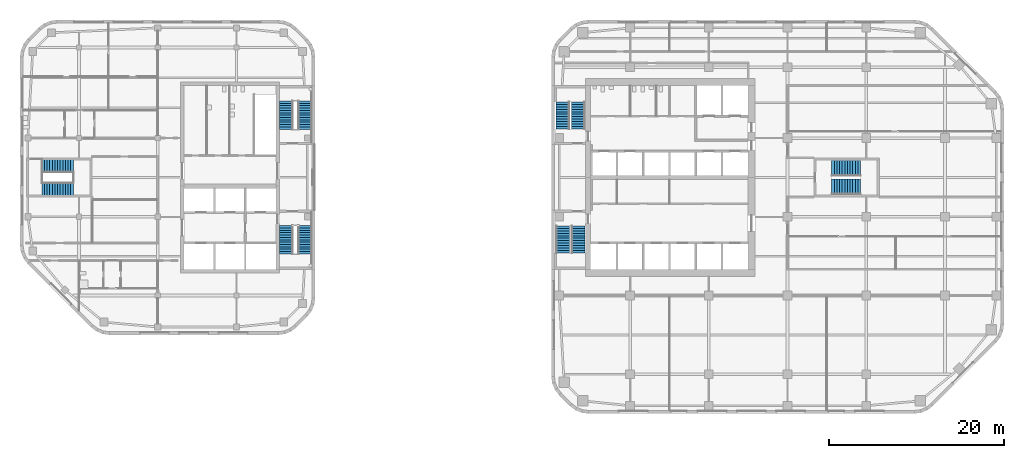
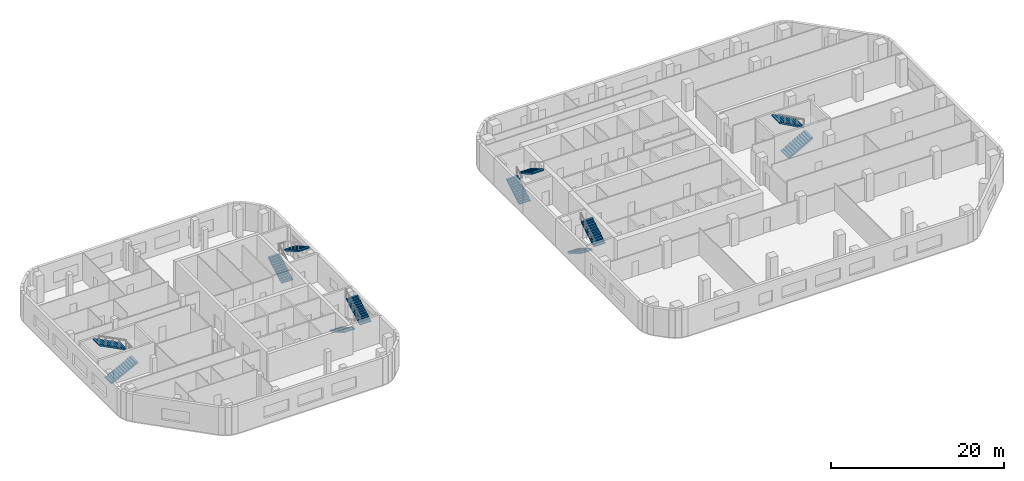
# One storey, part 11 of 14: 12 stair flights, 6 elements without a shape of their own.
"""IFC4 building model written with IfcOpenShell, lengths in metres."""

from ifc_helpers import new_model, si_unit, direction, frame, origin, place, context, subcontext, project, spatial, polyline, outline, extrude, material, type_object, element, aggregate, save


model = new_model("IFC4")

# Units and contexts
model_context = context("Model", 3, precision=1e-05, world=origin(), true_north=direction((0.0, 1.0)))
body_context = subcontext(model_context, "Body", "Model", "MODEL_VIEW")
ifc_project = project(units=[si_unit("LENGTHUNIT", "METRE"), si_unit("AREAUNIT", "SQUARE_METRE"), si_unit("VOLUMEUNIT", "CUBIC_METRE"), si_unit("PLANEANGLEUNIT", "RADIAN"), si_unit("MASSUNIT", "GRAM", prefix="KILO")], contexts=[model_context])

# Site, building, storey
site_placement = place(None, origin())
site = spatial("IfcSite", under=ifc_project, at=site_placement, CompositionType="ELEMENT")
building_placement = place(site_placement, origin())
building = spatial("IfcBuilding", under=site, at=building_placement, Name="Cinnabar Reach Civic Tower", CompositionType="ELEMENT")
storey_placement = place(building_placement, frame((0.0, 0.0, 132.0)))
storey = spatial("IfcBuildingStorey", under=building, at=storey_placement, Name="L31", CompositionType="ELEMENT", Elevation=132.0)

# Stair, stair flights
ifc_material_1 = material(Name="Concrete C40/50", Category="concrete")
stair_type_1 = type_object("IfcStairType", Name="T1 Exit stair, half-turn", PredefinedType="HALF_TURN_STAIR", material=ifc_material_1)
stair_1_placement = place(storey_placement, origin())
stair_1 = element("IfcStair", 1, at=stair_1_placement, inside=storey, type_object=stair_type_1, Name="Stair T1-S1", PredefinedType="HALF_TURN_STAIR")
stair_flight_type_1 = type_object("IfcStairFlightType", Name="T1 Stair flight, concrete", PredefinedType="STRAIGHT", material=ifc_material_1)
stair_flight_1_placement = place(storey_placement, frame((1.3125, 25.95, 0.0), z_axis=(0.0, 0.0, 1.0), x_axis=(0.0, -1.0, 0.0)))
stair_flight_1 = element("IfcStairFlight", 2, at=stair_flight_1_placement, type_object=stair_flight_type_1, Name="T1-S1 flight 1", NumberOfRisers=12, NumberOfTreads=11, PredefinedType="STRAIGHT", RiserHeight=0.166666667, TreadLength=0.28, context=body_context, shape_type="SweptSolid", body=[
    extrude(outline(polyline([(0.0, 0.0), (0.0, 0.1667), (0.28, 0.1667), (0.28, 0.3333), (0.56, 0.3333), (0.56, 0.5), (0.84, 0.5), (0.84, 0.6667), (1.12, 0.6667), (1.12, 0.8333), (1.4, 0.8333), (1.4, 1.0), (1.68, 1.0), (1.68, 1.1667), (1.96, 1.1667), (1.96, 1.3333), (2.24, 1.3333), (2.24, 1.5), (2.52, 1.5), (2.52, 1.6667), (2.8, 1.6667), (2.8, 1.8333), (3.08, 1.8333), (3.08, 2.0), (3.08, 1.6588), (0.2933, 0.0), (0.0, 0.0)])), frame((0.0, 0.7625, 0.0), z_axis=(0.0, -1.0, 0.0), x_axis=(1.0, 0.0, 0.0)), (0.0, 0.0, 1.0), 1.525),
])
stair_flight_2_placement = place(storey_placement, frame((3.0875, 22.87, 2.0), z_axis=(0.0, 0.0, 1.0), x_axis=(0.0, 1.0, 0.0)))
stair_flight_2 = element("IfcStairFlight", 3, at=stair_flight_2_placement, type_object=stair_flight_type_1, Name="T1-S1 flight 2", NumberOfRisers=12, NumberOfTreads=11, PredefinedType="STRAIGHT", RiserHeight=0.166666667, TreadLength=0.28, context=body_context, shape_type="SweptSolid", body=[
    extrude(outline(polyline([(0.0, 0.0), (0.0, 0.1667), (0.28, 0.1667), (0.28, 0.3333), (0.56, 0.3333), (0.56, 0.5), (0.84, 0.5), (0.84, 0.6667), (1.12, 0.6667), (1.12, 0.8333), (1.4, 0.8333), (1.4, 1.0), (1.68, 1.0), (1.68, 1.1667), (1.96, 1.1667), (1.96, 1.3333), (2.24, 1.3333), (2.24, 1.5), (2.52, 1.5), (2.52, 1.6667), (2.8, 1.6667), (2.8, 1.8333), (3.08, 1.8333), (3.08, 2.0), (3.08, 1.6588), (0.2933, 0.0), (0.0, 0.0)])), frame((0.0, 0.7625, 0.0), z_axis=(0.0, -1.0, 0.0), x_axis=(1.0, 0.0, 0.0)), (0.0, 0.0, 1.0), 1.525),
])
aggregate(stair_1, [stair_flight_1, stair_flight_2])

stair_2_placement = place(storey_placement, origin())
stair_2 = element("IfcStair", 4, at=stair_2_placement, inside=storey, type_object=stair_type_1, Name="Stair T1-S2", PredefinedType="HALF_TURN_STAIR")
stair_flight_3_placement = place(storey_placement, frame((1.3125, 37.05, 0.0), z_axis=(0.0, 0.0, 1.0), x_axis=(0.0, 1.0, 0.0)))
stair_flight_3 = element("IfcStairFlight", 5, at=stair_flight_3_placement, type_object=stair_flight_type_1, Name="T1-S2 flight 1", NumberOfRisers=12, NumberOfTreads=11, PredefinedType="STRAIGHT", RiserHeight=0.166666667, TreadLength=0.28, context=body_context, shape_type="SweptSolid", body=[
    extrude(outline(polyline([(0.0, 0.0), (0.0, 0.1667), (0.28, 0.1667), (0.28, 0.3333), (0.56, 0.3333), (0.56, 0.5), (0.84, 0.5), (0.84, 0.6667), (1.12, 0.6667), (1.12, 0.8333), (1.4, 0.8333), (1.4, 1.0), (1.68, 1.0), (1.68, 1.1667), (1.96, 1.1667), (1.96, 1.3333), (2.24, 1.3333), (2.24, 1.5), (2.52, 1.5), (2.52, 1.6667), (2.8, 1.6667), (2.8, 1.8333), (3.08, 1.8333), (3.08, 2.0), (3.08, 1.6588), (0.2933, 0.0), (0.0, 0.0)])), frame((0.0, 0.7625, 0.0), z_axis=(0.0, -1.0, 0.0), x_axis=(1.0, 0.0, 0.0)), (0.0, 0.0, 1.0), 1.525),
])
stair_flight_4_placement = place(storey_placement, frame((3.0875, 40.13, 2.0), z_axis=(0.0, 0.0, 1.0), x_axis=(0.0, -1.0, 0.0)))
stair_flight_4 = element("IfcStairFlight", 6, at=stair_flight_4_placement, type_object=stair_flight_type_1, Name="T1-S2 flight 2", NumberOfRisers=12, NumberOfTreads=11, PredefinedType="STRAIGHT", RiserHeight=0.166666667, TreadLength=0.28, context=body_context, shape_type="SweptSolid", body=[
    extrude(outline(polyline([(0.0, 0.0), (0.0, 0.1667), (0.28, 0.1667), (0.28, 0.3333), (0.56, 0.3333), (0.56, 0.5), (0.84, 0.5), (0.84, 0.6667), (1.12, 0.6667), (1.12, 0.8333), (1.4, 0.8333), (1.4, 1.0), (1.68, 1.0), (1.68, 1.1667), (1.96, 1.1667), (1.96, 1.3333), (2.24, 1.3333), (2.24, 1.5), (2.52, 1.5), (2.52, 1.6667), (2.8, 1.6667), (2.8, 1.8333), (3.08, 1.8333), (3.08, 2.0), (3.08, 1.6588), (0.2933, 0.0), (0.0, 0.0)])), frame((0.0, 0.7625, 0.0), z_axis=(0.0, -1.0, 0.0), x_axis=(1.0, 0.0, 0.0)), (0.0, 0.0, 1.0), 1.525),
])
aggregate(stair_2, [stair_flight_3, stair_flight_4])

stair_3_placement = place(storey_placement, origin())
stair_3 = element("IfcStair", 7, at=stair_3_placement, inside=storey, type_object=stair_type_1, Name="Stair T1-S3", PredefinedType="HALF_TURN_STAIR")
stair_flight_5_placement = place(storey_placement, frame((32.05, 30.45, 0.0), z_axis=(0.0, 0.0, 1.0), x_axis=(1.0, 0.0, 0.0)))
stair_flight_5 = element("IfcStairFlight", 8, at=stair_flight_5_placement, type_object=stair_flight_type_1, Name="T1-S3 flight 1", NumberOfRisers=12, NumberOfTreads=11, PredefinedType="STRAIGHT", RiserHeight=0.166666667, TreadLength=0.3, context=body_context, shape_type="SweptSolid", body=[
    extrude(outline(polyline([(0.0, 0.0), (0.0, 0.1667), (0.3, 0.1667), (0.3, 0.3333), (0.6, 0.3333), (0.6, 0.5), (0.9, 0.5), (0.9, 0.6667), (1.2, 0.6667), (1.2, 0.8333), (1.5, 0.8333), (1.5, 1.0), (1.8, 1.0), (1.8, 1.1667), (2.1, 1.1667), (2.1, 1.3333), (2.4, 1.3333), (2.4, 1.5), (2.7, 1.5), (2.7, 1.6667), (3.0, 1.6667), (3.0, 1.8333), (3.3, 1.8333), (3.3, 2.0), (3.3, 1.6617), (0.3089, 0.0), (0.0, 0.0)])), frame((0.0, 0.9, 0.0), z_axis=(0.0, -1.0, 0.0), x_axis=(1.0, 0.0, 0.0)), (0.0, 0.0, 1.0), 1.8),
])
stair_flight_6_placement = place(storey_placement, frame((35.35, 32.55, 2.0), z_axis=(0.0, 0.0, 1.0), x_axis=(-1.0, 0.0, 0.0)))
stair_flight_6 = element("IfcStairFlight", 9, at=stair_flight_6_placement, type_object=stair_flight_type_1, Name="T1-S3 flight 2", NumberOfRisers=12, NumberOfTreads=11, PredefinedType="STRAIGHT", RiserHeight=0.166666667, TreadLength=0.3, context=body_context, shape_type="SweptSolid", body=[
    extrude(outline(polyline([(0.0, 0.0), (0.0, 0.1667), (0.3, 0.1667), (0.3, 0.3333), (0.6, 0.3333), (0.6, 0.5), (0.9, 0.5), (0.9, 0.6667), (1.2, 0.6667), (1.2, 0.8333), (1.5, 0.8333), (1.5, 1.0), (1.8, 1.0), (1.8, 1.1667), (2.1, 1.1667), (2.1, 1.3333), (2.4, 1.3333), (2.4, 1.5), (2.7, 1.5), (2.7, 1.6667), (3.0, 1.6667), (3.0, 1.8333), (3.3, 1.8333), (3.3, 2.0), (3.3, 1.6617), (0.3089, 0.0), (0.0, 0.0)])), frame((0.0, 0.9, 0.0), z_axis=(0.0, -1.0, 0.0), x_axis=(1.0, 0.0, 0.0)), (0.0, 0.0, 1.0), 1.8),
])
aggregate(stair_3, [stair_flight_5, stair_flight_6])

ifc_material_2 = material(Name="Concrete C40", Category="concrete")
stair_type_2 = type_object("IfcStairType", Name="T2 Exit stair 1500", PredefinedType="HALF_TURN_STAIR", material=ifc_material_2)
stair_4_placement = place(storey_placement, origin())
stair_4 = element("IfcStair", 10, at=stair_4_placement, inside=storey, type_object=stair_type_2, Name="Exit stair 1", PredefinedType="HALF_TURN_STAIR")
stair_flight_type_2 = type_object("IfcStairFlightType", Name="T2 Stair flight 1500", PredefinedType="STRAIGHT", material=ifc_material_2)
stair_flight_7_placement = place(storey_placement, frame((-30.35, 26.0, 0.0), z_axis=(0.0, 0.0, 1.0), x_axis=(0.0, -1.0, 0.0)))
stair_flight_7 = element("IfcStairFlight", 11, at=stair_flight_7_placement, type_object=stair_flight_type_2, Name="ST1 flight 1", NumberOfRisers=13, NumberOfTreads=12, PredefinedType="STRAIGHT", RiserHeight=0.153846154, TreadLength=0.270833333, context=body_context, shape_type="SweptSolid", body=[
    extrude(outline(polyline([(0.0, 0.0), (0.0, 0.1538), (0.2708, 0.1538), (0.2708, 0.3077), (0.5417, 0.3077), (0.5417, 0.4615), (0.8125, 0.4615), (0.8125, 0.6154), (1.0833, 0.6154), (1.0833, 0.7692), (1.3542, 0.7692), (1.3542, 0.9231), (1.625, 0.9231), (1.625, 1.0769), (1.8958, 1.0769), (1.8958, 1.2308), (2.1667, 1.2308), (2.1667, 1.3846), (2.4375, 1.3846), (2.4375, 1.5385), (2.7083, 1.5385), (2.7083, 1.6923), (2.9792, 1.6923), (2.9792, 1.8462), (3.25, 1.8462), (3.25, 2.0), (3.25, 1.6736), (0.3037, 0.0), (0.0, 0.0)])), frame((0.0, 0.75, 0.0), z_axis=(0.0, -1.0, 0.0), x_axis=(1.0, 0.0, 0.0)), (0.0, 0.0, 1.0), 1.5),
])
stair_flight_8_placement = place(storey_placement, frame((-28.15, 22.75, 2.0), z_axis=(0.0, 0.0, 1.0), x_axis=(0.0, 1.0, 0.0)))
stair_flight_8 = element("IfcStairFlight", 12, at=stair_flight_8_placement, type_object=stair_flight_type_2, Name="ST1 flight 2", NumberOfRisers=13, NumberOfTreads=12, PredefinedType="STRAIGHT", RiserHeight=0.153846154, TreadLength=0.270833333, context=body_context, shape_type="SweptSolid", body=[
    extrude(outline(polyline([(0.0, 0.0), (0.0, 0.1538), (0.2708, 0.1538), (0.2708, 0.3077), (0.5417, 0.3077), (0.5417, 0.4615), (0.8125, 0.4615), (0.8125, 0.6154), (1.0833, 0.6154), (1.0833, 0.7692), (1.3542, 0.7692), (1.3542, 0.9231), (1.625, 0.9231), (1.625, 1.0769), (1.8958, 1.0769), (1.8958, 1.2308), (2.1667, 1.2308), (2.1667, 1.3846), (2.4375, 1.3846), (2.4375, 1.5385), (2.7083, 1.5385), (2.7083, 1.6923), (2.9792, 1.6923), (2.9792, 1.8462), (3.25, 1.8462), (3.25, 2.0), (3.25, 1.6736), (0.3037, 0.0), (0.0, 0.0)])), frame((0.0, 0.75, 0.0), z_axis=(0.0, -1.0, 0.0), x_axis=(1.0, 0.0, 0.0)), (0.0, 0.0, 1.0), 1.5),
])
aggregate(stair_4, [stair_flight_7, stair_flight_8])

stair_5_placement = place(storey_placement, origin())
stair_5 = element("IfcStair", 13, at=stair_5_placement, inside=storey, type_object=stair_type_2, Name="Exit stair 2", PredefinedType="HALF_TURN_STAIR")
stair_flight_9_placement = place(storey_placement, frame((-30.35, 37.0, 0.0), z_axis=(0.0, 0.0, 1.0), x_axis=(0.0, 1.0, 0.0)))
stair_flight_9 = element("IfcStairFlight", 14, at=stair_flight_9_placement, type_object=stair_flight_type_2, Name="ST2 flight 1", NumberOfRisers=13, NumberOfTreads=12, PredefinedType="STRAIGHT", RiserHeight=0.153846154, TreadLength=0.270833333, context=body_context, shape_type="SweptSolid", body=[
    extrude(outline(polyline([(0.0, 0.0), (0.0, 0.1538), (0.2708, 0.1538), (0.2708, 0.3077), (0.5417, 0.3077), (0.5417, 0.4615), (0.8125, 0.4615), (0.8125, 0.6154), (1.0833, 0.6154), (1.0833, 0.7692), (1.3542, 0.7692), (1.3542, 0.9231), (1.625, 0.9231), (1.625, 1.0769), (1.8958, 1.0769), (1.8958, 1.2308), (2.1667, 1.2308), (2.1667, 1.3846), (2.4375, 1.3846), (2.4375, 1.5385), (2.7083, 1.5385), (2.7083, 1.6923), (2.9792, 1.6923), (2.9792, 1.8462), (3.25, 1.8462), (3.25, 2.0), (3.25, 1.6736), (0.3037, 0.0), (0.0, 0.0)])), frame((0.0, 0.75, 0.0), z_axis=(0.0, -1.0, 0.0), x_axis=(1.0, 0.0, 0.0)), (0.0, 0.0, 1.0), 1.5),
])
stair_flight_10_placement = place(storey_placement, frame((-28.15, 40.25, 2.0), z_axis=(0.0, 0.0, 1.0), x_axis=(0.0, -1.0, 0.0)))
stair_flight_10 = element("IfcStairFlight", 15, at=stair_flight_10_placement, type_object=stair_flight_type_2, Name="ST2 flight 2", NumberOfRisers=13, NumberOfTreads=12, PredefinedType="STRAIGHT", RiserHeight=0.153846154, TreadLength=0.270833333, context=body_context, shape_type="SweptSolid", body=[
    extrude(outline(polyline([(0.0, 0.0), (0.0, 0.1538), (0.2708, 0.1538), (0.2708, 0.3077), (0.5417, 0.3077), (0.5417, 0.4615), (0.8125, 0.4615), (0.8125, 0.6154), (1.0833, 0.6154), (1.0833, 0.7692), (1.3542, 0.7692), (1.3542, 0.9231), (1.625, 0.9231), (1.625, 1.0769), (1.8958, 1.0769), (1.8958, 1.2308), (2.1667, 1.2308), (2.1667, 1.3846), (2.4375, 1.3846), (2.4375, 1.5385), (2.7083, 1.5385), (2.7083, 1.6923), (2.9792, 1.6923), (2.9792, 1.8462), (3.25, 1.8462), (3.25, 2.0), (3.25, 1.6736), (0.3037, 0.0), (0.0, 0.0)])), frame((0.0, 0.75, 0.0), z_axis=(0.0, -1.0, 0.0), x_axis=(1.0, 0.0, 0.0)), (0.0, 0.0, 1.0), 1.5),
])
aggregate(stair_5, [stair_flight_9, stair_flight_10])

stair_6_placement = place(storey_placement, origin())
stair_6 = element("IfcStair", 16, at=stair_6_placement, inside=storey, type_object=stair_type_2, Name="Exit stair 3", PredefinedType="HALF_TURN_STAIR")
stair_flight_11_placement = place(storey_placement, frame((-58.25, 30.125, 0.0), z_axis=(0.0, 0.0, 1.0), x_axis=(1.0, 0.0, 0.0)))
stair_flight_11 = element("IfcStairFlight", 17, at=stair_flight_11_placement, type_object=stair_flight_type_2, Name="ST3 flight 1", NumberOfRisers=13, NumberOfTreads=12, PredefinedType="STRAIGHT", RiserHeight=0.153846154, TreadLength=0.3, context=body_context, shape_type="SweptSolid", body=[
    extrude(outline(polyline([(0.0, 0.0), (0.0, 0.1538), (0.3, 0.1538), (0.3, 0.3077), (0.6, 0.3077), (0.6, 0.4615), (0.9, 0.4615), (0.9, 0.6154), (1.2, 0.6154), (1.2, 0.7692), (1.5, 0.7692), (1.5, 0.9231), (1.8, 0.9231), (1.8, 1.0769), (2.1, 1.0769), (2.1, 1.2308), (2.4, 1.2308), (2.4, 1.3846), (2.7, 1.3846), (2.7, 1.5385), (3.0, 1.5385), (3.0, 1.6923), (3.3, 1.6923), (3.3, 1.8462), (3.6, 1.8462), (3.6, 2.0), (3.6, 1.6776), (0.3287, 0.0), (0.0, 0.0)])), frame((0.0, 0.75, 0.0), z_axis=(0.0, -1.0, 0.0), x_axis=(1.0, 0.0, 0.0)), (0.0, 0.0, 1.0), 1.5),
])
stair_flight_12_placement = place(storey_placement, frame((-54.65, 32.875, 2.0), z_axis=(0.0, 0.0, 1.0), x_axis=(-1.0, 0.0, 0.0)))
stair_flight_12 = element("IfcStairFlight", 18, at=stair_flight_12_placement, type_object=stair_flight_type_2, Name="ST3 flight 2", NumberOfRisers=13, NumberOfTreads=12, PredefinedType="STRAIGHT", RiserHeight=0.153846154, TreadLength=0.3, context=body_context, shape_type="SweptSolid", body=[
    extrude(outline(polyline([(0.0, 0.0), (0.0, 0.1538), (0.3, 0.1538), (0.3, 0.3077), (0.6, 0.3077), (0.6, 0.4615), (0.9, 0.4615), (0.9, 0.6154), (1.2, 0.6154), (1.2, 0.7692), (1.5, 0.7692), (1.5, 0.9231), (1.8, 0.9231), (1.8, 1.0769), (2.1, 1.0769), (2.1, 1.2308), (2.4, 1.2308), (2.4, 1.3846), (2.7, 1.3846), (2.7, 1.5385), (3.0, 1.5385), (3.0, 1.6923), (3.3, 1.6923), (3.3, 1.8462), (3.6, 1.8462), (3.6, 2.0), (3.6, 1.6776), (0.3287, 0.0), (0.0, 0.0)])), frame((0.0, 0.75, 0.0), z_axis=(0.0, -1.0, 0.0), x_axis=(1.0, 0.0, 0.0)), (0.0, 0.0, 1.0), 1.5),
])
aggregate(stair_6, [stair_flight_11, stair_flight_12])

save(model, "model.ifc")
